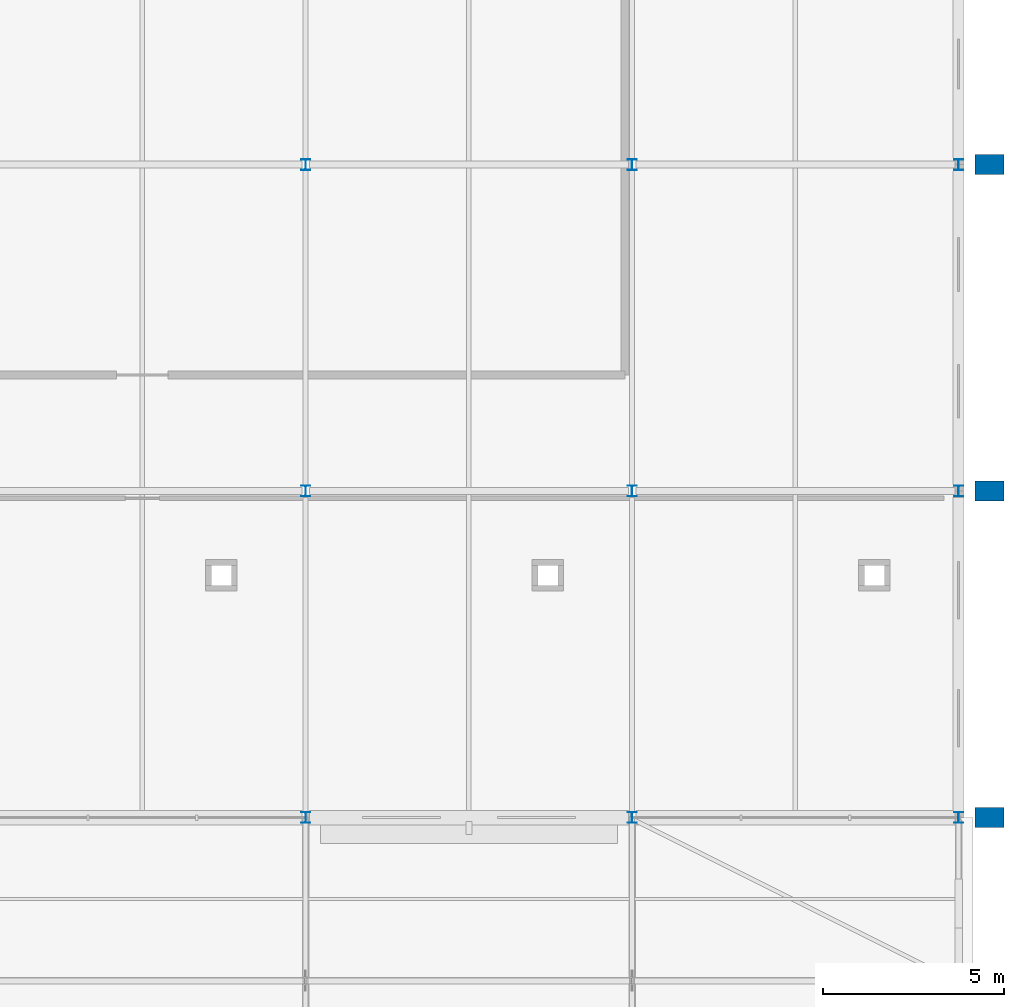
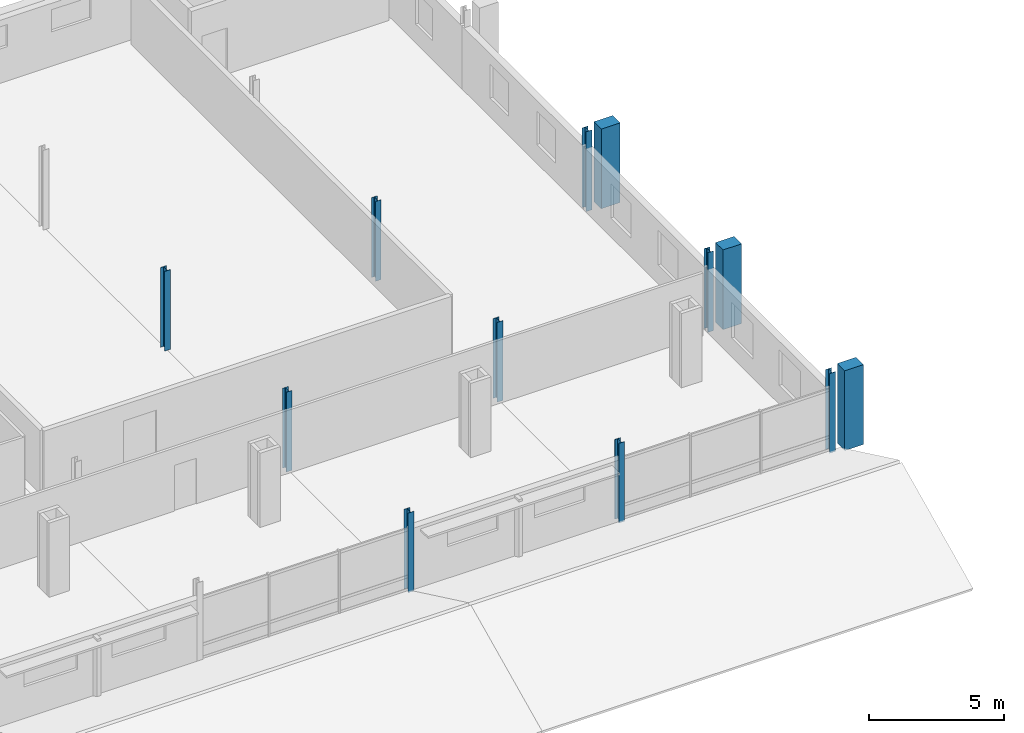
# One storey, part 21 of 132: 12 columns.
"""IFC4 building model written with IfcOpenShell, lengths in metres."""

from ifc_helpers import new_model, si_unit, direction, frame, origin, origin_2d, place, context, subcontext, project, spatial, rectangle, i_section, extrude, material, material_profile, profile_set, type_object, element, save


model = new_model("IFC4")

# Units and contexts
model_context = context("Model", 3, precision=1e-05, world=origin(), true_north=direction((0.0, 1.0)))
body_context = subcontext(model_context, "Body", "Model", "MODEL_VIEW")
ifc_project = project(units=[si_unit("LENGTHUNIT", "METRE"), si_unit("AREAUNIT", "SQUARE_METRE"), si_unit("VOLUMEUNIT", "CUBIC_METRE"), si_unit("PLANEANGLEUNIT", "RADIAN"), si_unit("MASSUNIT", "GRAM", prefix="KILO")], contexts=[model_context])

# Site, building, storey
site_placement = place(None, origin())
site = spatial("IfcSite", under=ifc_project, at=site_placement, CompositionType="ELEMENT")
building_placement = place(site_placement, origin())
building = spatial("IfcBuilding", under=site, at=building_placement, Name="Tharagai Park Tramway Depot", CompositionType="ELEMENT")
storey_placement = place(building_placement, frame((0.0, 0.0, 4.800048828125)))
storey = spatial("IfcBuildingStorey", under=building, at=storey_placement, Name="L01", CompositionType="ELEMENT", Elevation=4.800048828125)

# Columns
ifc_material_1 = material(Name="Steel E350", Category="steel")
ifc_material_profile_1 = material_profile(ifc_material_1, i_section(OverallWidth=0.25, OverallDepth=0.300048828125, WebThickness=0.009521484375, FlangeThickness=0.010498046875, FilletRadius=0.011962890625, at=origin_2d()), Name="ISHB 300")
ifc_profile_set_1 = profile_set([ifc_material_profile_1], Name="Steel E350")
column_type_1 = type_object("IfcColumnType", Name="CL-08", PredefinedType="COLUMN", material=ifc_profile_set_1)
for number, where, z_axis, x_axis, name in (
    (1, (198.0, 99.0, 0.0), (0.0, 0.0, 1.0), (1.0, 0.0, 0.0), "L01 Structural Column CL-08 (198,99)"),
    (2, (198.0, 108.0, 0.0), (0.0, 0.0, 1.0), (1.0, 0.0, 0.0), "L01 Structural Column CL-08 (198,108)"),
    (3, (198.0, 117.0, 0.0), (0.0, 0.0, 1.0), (1.0, 0.0, 0.0), "L01 Structural Column CL-08 (198,117)"),
    (4, (207.0, 99.0, 0.0), (0.0, 0.0, 1.0), (1.0, 0.0, 0.0), "L01 Structural Column CL-08 (207,99)"),
    (5, (207.0, 108.0, 0.0), (0.0, 0.0, 1.0), (1.0, 0.0, 0.0), "L01 Structural Column CL-08 (207,108)"),
    (6, (207.0, 117.0, 0.0), (0.0, 0.0, 1.0), (1.0, 0.0, 0.0), "L01 Structural Column CL-08 (207,117)"),
    (7, (216.0, 99.0, 0.0), (0.0, 0.0, 1.0), (1.0, 0.0, 0.0), "L01 Structural Column CL-08 (216,99)"),
    (8, (216.0, 108.0, 0.0), (0.0, 0.0, 1.0), (1.0, 0.0, 0.0), "L01 Structural Column CL-08 (216,108)"),
    (9, (216.0, 117.0, 0.0), (0.0, 0.0, 1.0), (1.0, 0.0, 0.0), "L01 Structural Column CL-08 (216,117)"),
):
    element("IfcColumn", number, at=place(storey_placement, frame(where, z_axis=z_axis, x_axis=x_axis)), inside=storey, type_object=column_type_1, Name=name, PredefinedType="COLUMN", context=body_context, shape_type="SweptSolid", body=[
        extrude(i_section(OverallWidth=0.25, OverallDepth=0.300048828125, WebThickness=0.009521484375, FlangeThickness=0.010498046875, FilletRadius=0.011962890625, at=origin_2d()), origin(), (0.0, 0.0, 1.0), 3.599853515625),
    ])
ifc_material_2 = material(Name="Concrete M40", Category="concrete")
ifc_material_profile_2 = material_profile(ifc_material_2, rectangle(XDim=0.550048828125, YDim=0.800048828125, at=origin_2d()), Name="RC 550x800")
ifc_profile_set_2 = profile_set([ifc_material_profile_2], Name="Concrete M40")
column_type_2 = type_object("IfcColumnType", Name="PL-02", PredefinedType="PILASTER", material=ifc_profile_set_2)
for number, where, z_axis, x_axis, name in (
    (10, (216.85009765625, 99.0, 0.0), (0.0, 0.0, 1.0), (0.0, 1.0, 0.0), "L01 Stepped Gothic Buttress PL-02 E-099"),
    (11, (216.85009765625, 108.0, 0.0), (0.0, 0.0, 1.0), (0.0, 1.0, 0.0), "L01 Stepped Gothic Buttress PL-02 E-108"),
    (12, (216.85009765625, 117.0, 0.0), (0.0, 0.0, 1.0), (0.0, 1.0, 0.0), "L01 Stepped Gothic Buttress PL-02 E-117"),
):
    element("IfcColumn", number, at=place(storey_placement, frame(where, z_axis=z_axis, x_axis=x_axis)), inside=storey, type_object=column_type_2, Name=name, PredefinedType="PILASTER", context=body_context, shape_type="SweptSolid", body=[
        extrude(rectangle(XDim=0.550048828125, YDim=0.800048828125, at=origin_2d()), origin(), (0.0, 0.0, 1.0), 3.599853515625),
    ])

save(model, "model.ifc")
